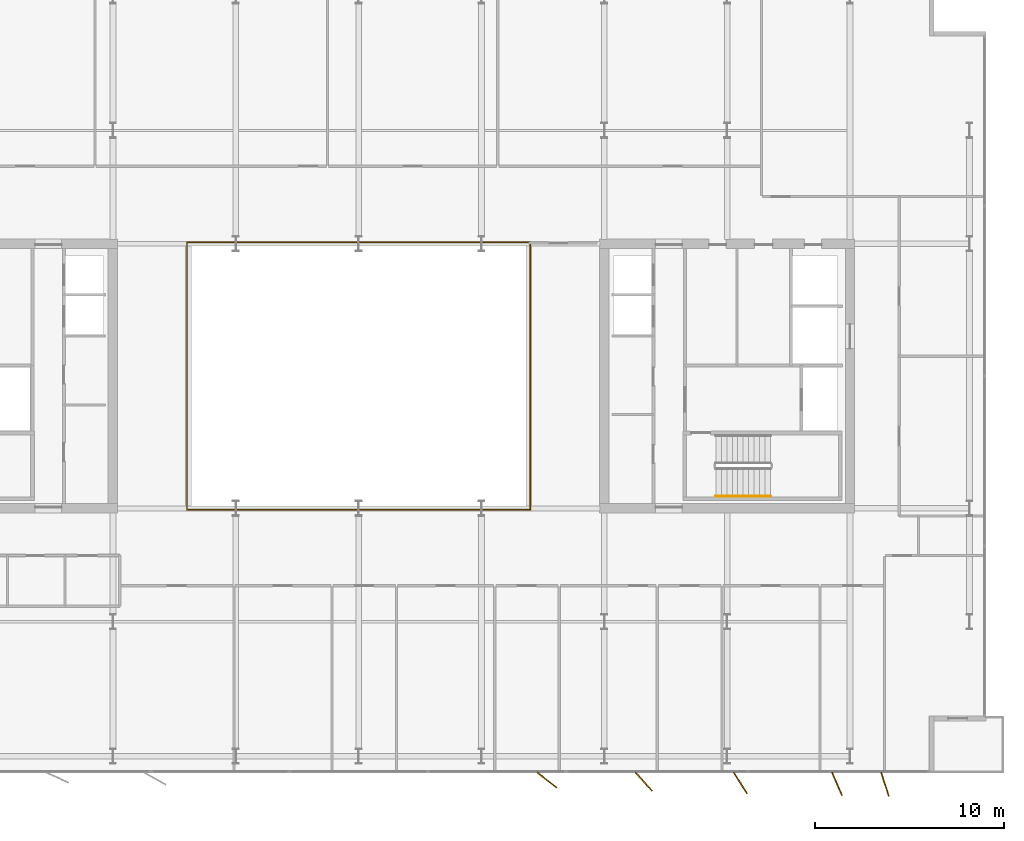
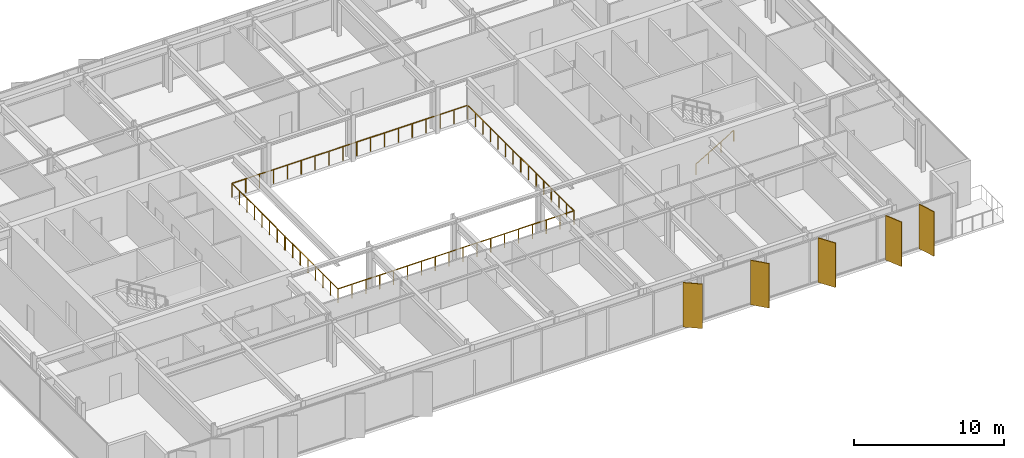
# One storey, part 22 of 24: 5 shading devices, 3 railings.
"""IFC4 building model written with IfcOpenShell, lengths in metres."""

from ifc_helpers import new_model, si_unit, direction, frame, origin, origin_2d, place, context, subcontext, project, spatial, rectangle, circle, extrude, material, layer, layer_set, type_object, element, save


model = new_model("IFC4")

# Units and contexts
model_context = context("Model", 3, precision=1e-05, world=origin(), true_north=direction((0.0, 1.0)))
body_context = subcontext(model_context, "Body", "Model", "MODEL_VIEW")
ifc_project = project(units=[si_unit("LENGTHUNIT", "METRE"), si_unit("AREAUNIT", "SQUARE_METRE"), si_unit("VOLUMEUNIT", "CUBIC_METRE"), si_unit("PLANEANGLEUNIT", "RADIAN"), si_unit("MASSUNIT", "GRAM", prefix="KILO")], contexts=[model_context])

# Site, building, storey
site_placement = place(None, origin())
site = spatial("IfcSite", under=ifc_project, at=site_placement, CompositionType="ELEMENT")
building_placement = place(site_placement, origin())
building = spatial("IfcBuilding", under=site, at=building_placement, Name="Putna Gate Headquarters", CompositionType="ELEMENT")
storey_placement = place(building_placement, frame((0.0, 0.0, 240.39990234375)))
storey = spatial("IfcBuildingStorey", under=building, at=storey_placement, Name="L60", CompositionType="ELEMENT", Elevation=240.39990234375)

# Railings
ifc_material_1 = material(Name="Anodised bronze and laminated glass atrium balustrade", Category="glass")
railing_type_1 = type_object("IfcRailingType", Name="RAIL-ATRIUM-GUARD-1150", PredefinedType="GUARDRAIL", material=ifc_material_1)
railing_1_placement = place(storey_placement, frame((29.919921875, 25.969970703125, 0.0)))
element("IfcRailing", 1, at=railing_1_placement, inside=storey, type_object=railing_type_1, Name="L60 Central Atrium Glazed Balustrade South", PredefinedType="GUARDRAIL", context=body_context, shape_type="SweptSolid", body=[
    extrude(circle(Radius=0.02392578125, at=origin_2d()), frame((0.0, 0.0, 1.1259765625), z_axis=(0.0, -1.0, 0.0), x_axis=(1.0, 0.0, 0.0)), (0.0, 0.0, 1.0), 7.050048828125),
    extrude(circle(Radius=0.02392578125, at=origin_2d()), frame((0.0, -7.050048828125, 1.1259765625), z_axis=(1.0, 0.0, 0.0), x_axis=(0.0, 1.0, 0.0)), (0.0, 0.0, 1.0), 18.16015625),
    extrude(circle(Radius=0.02392578125, at=origin_2d()), frame((18.16015625, -7.050048828125, 1.1259765625), z_axis=(0.0, 1.0, 0.0), x_axis=(-1.0, 0.0, 0.0)), (0.0, 0.0, 1.0), 7.050048828125),
    extrude(circle(Radius=0.02099609375, at=origin_2d()), origin(), (0.0, 0.0, 1.0), 1.101806640625),
    extrude(circle(Radius=0.02099609375, at=origin_2d()), frame((0.0, -1.007080078125, 0.0)), (0.0, 0.0, 1.0), 1.101806640625),
    extrude(circle(Radius=0.02099609375, at=origin_2d()), frame((0.0, -2.014404296875, 0.0)), (0.0, 0.0, 1.0), 1.101806640625),
    extrude(circle(Radius=0.02099609375, at=origin_2d()), frame((0.0, -3.021484375, 0.0)), (0.0, 0.0, 1.0), 1.101806640625),
    extrude(circle(Radius=0.02099609375, at=origin_2d()), frame((0.0, -4.028564453125, 0.0)), (0.0, 0.0, 1.0), 1.101806640625),
    extrude(circle(Radius=0.02099609375, at=origin_2d()), frame((0.0, -5.03564453125, 0.0)), (0.0, 0.0, 1.0), 1.101806640625),
    extrude(circle(Radius=0.02099609375, at=origin_2d()), frame((0.0, -6.04296875, 0.0)), (0.0, 0.0, 1.0), 1.101806640625),
    extrude(circle(Radius=0.02099609375, at=origin_2d()), frame((0.0, -7.050048828125, 0.0)), (0.0, 0.0, 1.0), 1.101806640625),
    extrude(circle(Radius=0.02099609375, at=origin_2d()), frame((1.068359375, -7.050048828125, 0.0)), (0.0, 0.0, 1.0), 1.101806640625),
    extrude(circle(Radius=0.02099609375, at=origin_2d()), frame((2.136474609375, -7.050048828125, 0.0)), (0.0, 0.0, 1.0), 1.101806640625),
    extrude(circle(Radius=0.02099609375, at=origin_2d()), frame((3.204833984375, -7.050048828125, 0.0)), (0.0, 0.0, 1.0), 1.101806640625),
    extrude(circle(Radius=0.02099609375, at=origin_2d()), frame((4.27294921875, -7.050048828125, 0.0)), (0.0, 0.0, 1.0), 1.101806640625),
    extrude(circle(Radius=0.02099609375, at=origin_2d()), frame((5.34130859375, -7.050048828125, 0.0)), (0.0, 0.0, 1.0), 1.101806640625),
    extrude(circle(Radius=0.02099609375, at=origin_2d()), frame((6.409423828125, -7.050048828125, 0.0)), (0.0, 0.0, 1.0), 1.101806640625),
    extrude(circle(Radius=0.02099609375, at=origin_2d()), frame((7.477783203125, -7.050048828125, 0.0)), (0.0, 0.0, 1.0), 1.101806640625),
    extrude(circle(Radius=0.02099609375, at=origin_2d()), frame((8.5458984375, -7.050048828125, 0.0)), (0.0, 0.0, 1.0), 1.101806640625),
    extrude(circle(Radius=0.02099609375, at=origin_2d()), frame((9.6142578125, -7.050048828125, 0.0)), (0.0, 0.0, 1.0), 1.101806640625),
    extrude(circle(Radius=0.02099609375, at=origin_2d()), frame((10.682373046875, -7.050048828125, 0.0)), (0.0, 0.0, 1.0), 1.101806640625),
    extrude(circle(Radius=0.02099609375, at=origin_2d()), frame((11.750732421875, -7.050048828125, 0.0)), (0.0, 0.0, 1.0), 1.101806640625),
    extrude(circle(Radius=0.02099609375, at=origin_2d()), frame((12.81884765625, -7.050048828125, 0.0)), (0.0, 0.0, 1.0), 1.101806640625),
    extrude(circle(Radius=0.02099609375, at=origin_2d()), frame((13.88720703125, -7.050048828125, 0.0)), (0.0, 0.0, 1.0), 1.101806640625),
    extrude(circle(Radius=0.02099609375, at=origin_2d()), frame((14.955322265625, -7.050048828125, 0.0)), (0.0, 0.0, 1.0), 1.101806640625),
    extrude(circle(Radius=0.02099609375, at=origin_2d()), frame((16.023681640625, -7.050048828125, 0.0)), (0.0, 0.0, 1.0), 1.101806640625),
    extrude(circle(Radius=0.02099609375, at=origin_2d()), frame((17.091796875, -7.050048828125, 0.0)), (0.0, 0.0, 1.0), 1.101806640625),
    extrude(circle(Radius=0.02099609375, at=origin_2d()), frame((18.16015625, -7.050048828125, 0.0)), (0.0, 0.0, 1.0), 1.101806640625),
    extrude(circle(Radius=0.02099609375, at=origin_2d()), frame((18.16015625, -6.04296875, 0.0)), (0.0, 0.0, 1.0), 1.101806640625),
    extrude(circle(Radius=0.02099609375, at=origin_2d()), frame((18.16015625, -5.03564453125, 0.0)), (0.0, 0.0, 1.0), 1.101806640625),
    extrude(circle(Radius=0.02099609375, at=origin_2d()), frame((18.16015625, -4.028564453125, 0.0)), (0.0, 0.0, 1.0), 1.101806640625),
    extrude(circle(Radius=0.02099609375, at=origin_2d()), frame((18.16015625, -3.021484375, 0.0)), (0.0, 0.0, 1.0), 1.101806640625),
    extrude(circle(Radius=0.02099609375, at=origin_2d()), frame((18.16015625, -2.014404296875, 0.0)), (0.0, 0.0, 1.0), 1.101806640625),
    extrude(circle(Radius=0.02099609375, at=origin_2d()), frame((18.16015625, -1.007080078125, 0.0)), (0.0, 0.0, 1.0), 1.101806640625),
    extrude(circle(Radius=0.02099609375, at=origin_2d()), frame((18.16015625, 0.0, 0.0)), (0.0, 0.0, 1.0), 1.101806640625),
])
railing_2_placement = place(storey_placement, frame((48.080078125, 26.030029296875, 0.0)))
element("IfcRailing", 2, at=railing_2_placement, inside=storey, type_object=railing_type_1, Name="L60 Central Atrium Glazed Balustrade North", PredefinedType="GUARDRAIL", context=body_context, shape_type="SweptSolid", body=[
    extrude(circle(Radius=0.02392578125, at=origin_2d()), frame((0.0, 0.0, 1.1259765625), z_axis=(0.0, 1.0, 0.0), x_axis=(-1.0, 0.0, 0.0)), (0.0, 0.0, 1.0), 7.050048828125),
    extrude(circle(Radius=0.02392578125, at=origin_2d()), frame((0.0, 7.050048828125, 1.1259765625), z_axis=(-1.0, 0.0, 0.0), x_axis=(0.0, -1.0, 0.0)), (0.0, 0.0, 1.0), 18.16015625),
    extrude(circle(Radius=0.02392578125, at=origin_2d()), frame((-18.16015625, 7.050048828125, 1.1259765625), z_axis=(0.0, -1.0, 0.0), x_axis=(1.0, 0.0, 0.0)), (0.0, 0.0, 1.0), 7.050048828125),
    extrude(circle(Radius=0.02099609375, at=origin_2d()), origin(), (0.0, 0.0, 1.0), 1.101806640625),
    extrude(circle(Radius=0.02099609375, at=origin_2d()), frame((0.0, 1.007080078125, 0.0)), (0.0, 0.0, 1.0), 1.101806640625),
    extrude(circle(Radius=0.02099609375, at=origin_2d()), frame((0.0, 2.014404296875, 0.0)), (0.0, 0.0, 1.0), 1.101806640625),
    extrude(circle(Radius=0.02099609375, at=origin_2d()), frame((0.0, 3.021484375, 0.0)), (0.0, 0.0, 1.0), 1.101806640625),
    extrude(circle(Radius=0.02099609375, at=origin_2d()), frame((0.0, 4.028564453125, 0.0)), (0.0, 0.0, 1.0), 1.101806640625),
    extrude(circle(Radius=0.02099609375, at=origin_2d()), frame((0.0, 5.03564453125, 0.0)), (0.0, 0.0, 1.0), 1.101806640625),
    extrude(circle(Radius=0.02099609375, at=origin_2d()), frame((0.0, 6.04296875, 0.0)), (0.0, 0.0, 1.0), 1.101806640625),
    extrude(circle(Radius=0.02099609375, at=origin_2d()), frame((0.0, 7.050048828125, 0.0)), (0.0, 0.0, 1.0), 1.101806640625),
    extrude(circle(Radius=0.02099609375, at=origin_2d()), frame((-1.068359375, 7.050048828125, 0.0)), (0.0, 0.0, 1.0), 1.101806640625),
    extrude(circle(Radius=0.02099609375, at=origin_2d()), frame((-2.136474609375, 7.050048828125, 0.0)), (0.0, 0.0, 1.0), 1.101806640625),
    extrude(circle(Radius=0.02099609375, at=origin_2d()), frame((-3.204833984375, 7.050048828125, 0.0)), (0.0, 0.0, 1.0), 1.101806640625),
    extrude(circle(Radius=0.02099609375, at=origin_2d()), frame((-4.27294921875, 7.050048828125, 0.0)), (0.0, 0.0, 1.0), 1.101806640625),
    extrude(circle(Radius=0.02099609375, at=origin_2d()), frame((-5.34130859375, 7.050048828125, 0.0)), (0.0, 0.0, 1.0), 1.101806640625),
    extrude(circle(Radius=0.02099609375, at=origin_2d()), frame((-6.409423828125, 7.050048828125, 0.0)), (0.0, 0.0, 1.0), 1.101806640625),
    extrude(circle(Radius=0.02099609375, at=origin_2d()), frame((-7.477783203125, 7.050048828125, 0.0)), (0.0, 0.0, 1.0), 1.101806640625),
    extrude(circle(Radius=0.02099609375, at=origin_2d()), frame((-8.5458984375, 7.050048828125, 0.0)), (0.0, 0.0, 1.0), 1.101806640625),
    extrude(circle(Radius=0.02099609375, at=origin_2d()), frame((-9.6142578125, 7.050048828125, 0.0)), (0.0, 0.0, 1.0), 1.101806640625),
    extrude(circle(Radius=0.02099609375, at=origin_2d()), frame((-10.682373046875, 7.050048828125, 0.0)), (0.0, 0.0, 1.0), 1.101806640625),
    extrude(circle(Radius=0.02099609375, at=origin_2d()), frame((-11.750732421875, 7.050048828125, 0.0)), (0.0, 0.0, 1.0), 1.101806640625),
    extrude(circle(Radius=0.02099609375, at=origin_2d()), frame((-12.81884765625, 7.050048828125, 0.0)), (0.0, 0.0, 1.0), 1.101806640625),
    extrude(circle(Radius=0.02099609375, at=origin_2d()), frame((-13.88720703125, 7.050048828125, 0.0)), (0.0, 0.0, 1.0), 1.101806640625),
    extrude(circle(Radius=0.02099609375, at=origin_2d()), frame((-14.955322265625, 7.050048828125, 0.0)), (0.0, 0.0, 1.0), 1.101806640625),
    extrude(circle(Radius=0.02099609375, at=origin_2d()), frame((-16.023681640625, 7.050048828125, 0.0)), (0.0, 0.0, 1.0), 1.101806640625),
    extrude(circle(Radius=0.02099609375, at=origin_2d()), frame((-17.091796875, 7.050048828125, 0.0)), (0.0, 0.0, 1.0), 1.101806640625),
    extrude(circle(Radius=0.02099609375, at=origin_2d()), frame((-18.16015625, 7.050048828125, 0.0)), (0.0, 0.0, 1.0), 1.101806640625),
    extrude(circle(Radius=0.02099609375, at=origin_2d()), frame((-18.16015625, 6.04296875, 0.0)), (0.0, 0.0, 1.0), 1.101806640625),
    extrude(circle(Radius=0.02099609375, at=origin_2d()), frame((-18.16015625, 5.03564453125, 0.0)), (0.0, 0.0, 1.0), 1.101806640625),
    extrude(circle(Radius=0.02099609375, at=origin_2d()), frame((-18.16015625, 4.028564453125, 0.0)), (0.0, 0.0, 1.0), 1.101806640625),
    extrude(circle(Radius=0.02099609375, at=origin_2d()), frame((-18.16015625, 3.021484375, 0.0)), (0.0, 0.0, 1.0), 1.101806640625),
    extrude(circle(Radius=0.02099609375, at=origin_2d()), frame((-18.16015625, 2.014404296875, 0.0)), (0.0, 0.0, 1.0), 1.101806640625),
    extrude(circle(Radius=0.02099609375, at=origin_2d()), frame((-18.16015625, 1.007080078125, 0.0)), (0.0, 0.0, 1.0), 1.101806640625),
    extrude(circle(Radius=0.02099609375, at=origin_2d()), frame((-18.16015625, 0.0, 0.0)), (0.0, 0.0, 1.0), 1.101806640625),
])
ifc_material_2 = material(Name="Brushed stainless steel handrail", Category="steel")
railing_type_2 = type_object("IfcRailingType", Name="RAIL-STAIR-HAND-900", PredefinedType="HANDRAIL", material=ifc_material_2)
railing_3_placement = place(storey_placement, frame((57.89990234375, 19.64990234375, 0.1728515625)))
element("IfcRailing", 3, at=railing_3_placement, inside=storey, type_object=railing_type_2, Name="L60 ST2 stair handrail 1", PredefinedType="HANDRAIL", context=body_context, shape_type="SweptSolid", body=[
    extrude(circle(Radius=0.02392578125, at=origin_2d()), frame((0.0, 0.0, 0.8759765625), z_axis=(0.859160404282, 0.0, 0.51170636083), x_axis=(0.0, 1.0, 0.0)), (0.0, 0.0, 1.0), 3.37548828125),
    extrude(circle(Radius=0.02099609375, at=origin_2d()), origin(), (0.0, 0.0, 1.0), 0.851806640625),
    extrude(circle(Radius=0.02099609375, at=origin_2d()), frame((0.966796875, 0.0, 0.57568359375)), (0.0, 0.0, 1.0), 0.851806640625),
    extrude(circle(Radius=0.02099609375, at=origin_2d()), frame((1.933349609375, 0.0, 1.151611328125)), (0.0, 0.0, 1.0), 0.851806640625),
    extrude(circle(Radius=0.02099609375, at=origin_2d()), frame((2.900146484375, 0.0, 1.727294921875)), (0.0, 0.0, 1.0), 0.851806640625),
])

# Shading devices
ifc_material_3 = material(Name="Anodised architectural bronze aluminium fin", Category="aluminium")
ifc_layer = layer(ifc_material_3, 0.06494140625)
ifc_layer_set = layer_set([ifc_layer], Name="Anodised architectural bronze aluminium fin")
shading_device_type = type_object("IfcShadingDeviceType", Name="SHADE-BRONZE-FIN-1320", PredefinedType="USERDEFINED", material=ifc_layer_set)
for number, where, z_axis, x_axis, name in (
    (4, (48.9697265625, 4.6181640625, -0.02001953125), (0.0, 0.0, 1.0), (0.787473187632, -0.616348909921, 0.0), "L60 Bronze Vertical Shading Fin S7"),
    (5, (54.091552734375, 4.534423828125, -0.02001953125), (0.0, 0.0, 1.0), (0.669130606359, -0.743144825477, 0.0), "L60 Bronze Vertical Shading Fin S8"),
    (6, (59.2001953125, 4.465576171875, -0.02001953125), (0.0, 0.0, 1.0), (0.530659123936, -0.847585331506, 0.0), "L60 Bronze Vertical Shading Fin S9"),
    (7, (64.314453125, 4.42041015625, -0.02001953125), (0.0, 0.0, 1.0), (0.400668879095, -0.916222925562, 0.0), "L60 Bronze Vertical Shading Fin S10"),
    (8, (66.853759765625, 4.397216796875, -0.02001953125), (0.0, 0.0, 1.0), (0.308684994204, -0.951164325631, 0.0), "L60 Bronze Vertical Shading Fin S11"),
):
    element("IfcShadingDevice", number, at=place(storey_placement, frame(where, z_axis=z_axis, x_axis=x_axis)), inside=storey, type_object=shading_device_type, Name=name, ObjectType="FIN", PredefinedType="USERDEFINED", context=body_context, shape_type="SweptSolid", body=[
        extrude(rectangle(XDim=1.320068359375, YDim=0.06494140625, at=origin_2d()), origin(), (0.0, 0.0, 1.0), 3.6201171875),
    ])

save(model, "model.ifc")
